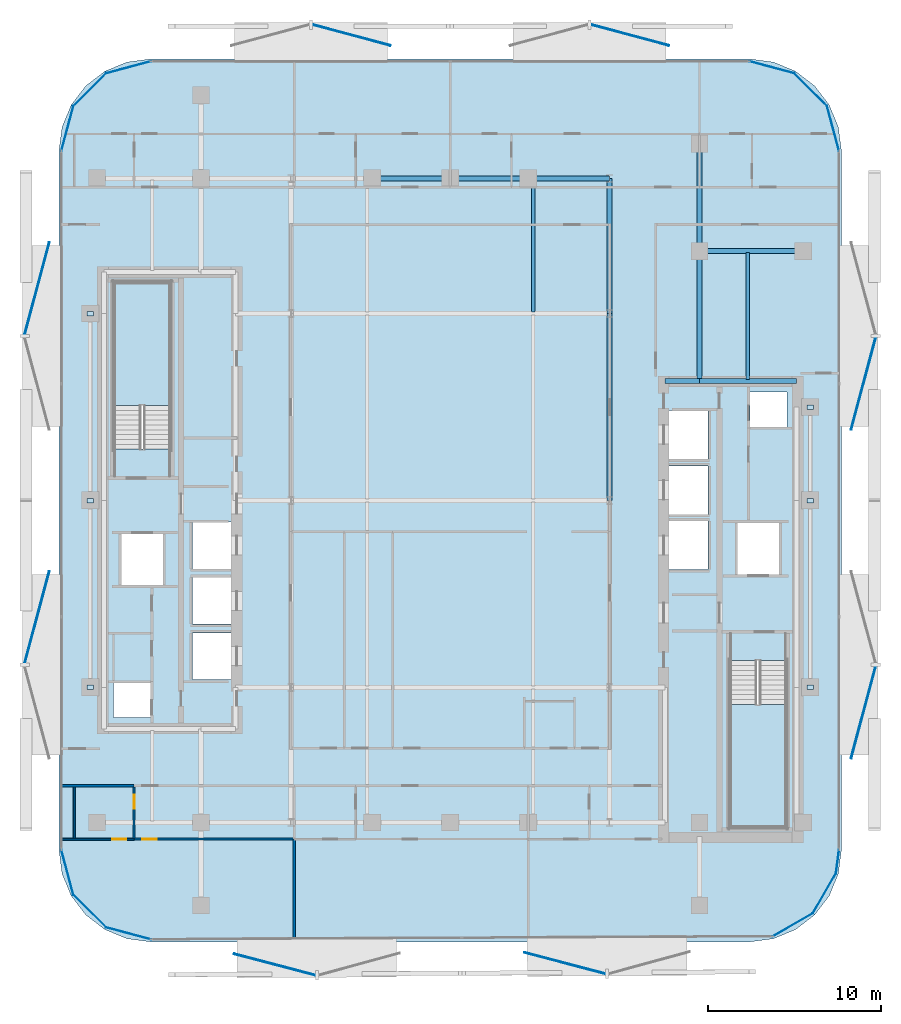
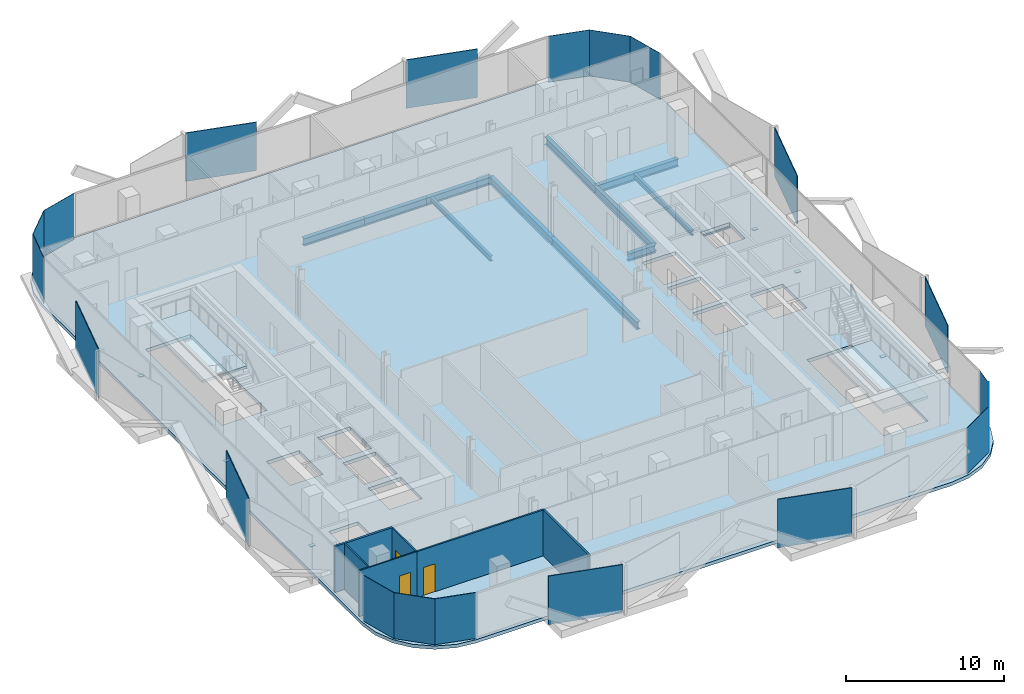
# One storey, part 2 of 17: 26 plates, 12 beams, 6 walls, 3 doors, 3 slabs, 3 openings, 2 elements without a shape of their own.
"""IFC4 building model written with IfcOpenShell, lengths in metres."""

from ifc_helpers import new_model, si_unit, direction, frame, frame_2d, origin, origin_2d, place, context, subcontext, project, spatial, polyline, rectangle, i_section, outline, extrude, material, layer, layer_set, material_profile, profile_set, type_object, element, fill, aggregate, save


model = new_model("IFC4")

# Units and contexts
model_context = context("Model", 3, precision=1e-05, world=origin(), true_north=direction((0.0, 1.0)))
body_context = subcontext(model_context, "Body", "Model", "MODEL_VIEW")
ifc_project = project(units=[si_unit("LENGTHUNIT", "METRE"), si_unit("AREAUNIT", "SQUARE_METRE"), si_unit("VOLUMEUNIT", "CUBIC_METRE"), si_unit("PLANEANGLEUNIT", "RADIAN"), si_unit("MASSUNIT", "GRAM", prefix="KILO")], contexts=[model_context])

# Site, building, storey
site_placement = place(None, origin())
site = spatial("IfcSite", under=ifc_project, at=site_placement, CompositionType="ELEMENT")
building_placement = place(site_placement, origin())
building = spatial("IfcBuilding", under=site, at=building_placement, Name="Khairoan Windgate Tower", CompositionType="ELEMENT")
storey_placement = place(building_placement, frame((0.0, 0.0, 203.0)))
storey = spatial("IfcBuildingStorey", under=building, at=storey_placement, Name="L47", CompositionType="ELEMENT", Elevation=203.0)

# Beams
ifc_material_1 = material(Name="Steel S355", Category="steel")
ifc_material_profile_1 = material_profile(ifc_material_1, i_section(OverallWidth=0.300048828125, OverallDepth=0.587890625, WebThickness=0.011962890625, FlangeThickness=0.02001953125, FilletRadius=0.02392578125, at=origin_2d()))
ifc_profile_set_1 = profile_set([ifc_material_profile_1], Name="Steel S355")
beam_type_1 = type_object("IfcBeamType", Name="Beam B-G4 H588x300x12x20", PredefinedType="BEAM", material=ifc_profile_set_1)
beam_1_placement = place(storey_placement, frame((12.39990234375, 6.89990234375, -0.553955078125), z_axis=(1.0, 0.0, 0.0), x_axis=(0.0, 1.0, 0.0)))
element("IfcBeam", 1, at=beam_1_placement, inside=storey, type_object=beam_type_1, Name="L47 E-W Primary Girder 15", PredefinedType="BEAM", context=body_context, shape_type="SweptSolid", body=[
    extrude(i_section(OverallWidth=0.300048828125, OverallDepth=0.587890625, WebThickness=0.011962890625, FlangeThickness=0.02001953125, FilletRadius=0.02392578125, at=origin_2d()), origin(), (0.0, 0.0, 1.0), 2.0),
])
beam_2_placement = place(storey_placement, frame((14.39990234375, 6.89990234375, -0.553955078125), z_axis=(1.0, 0.0, 0.0), x_axis=(0.0, 1.0, 0.0)))
element("IfcBeam", 2, at=beam_2_placement, inside=storey, type_object=beam_type_1, Name="L47 E-W Primary Girder 16", PredefinedType="BEAM", context=body_context, shape_type="SweptSolid", body=[
    extrude(i_section(OverallWidth=0.300048828125, OverallDepth=0.587890625, WebThickness=0.011962890625, FlangeThickness=0.02001953125, FilletRadius=0.02392578125, at=origin_2d()), origin(), (0.0, 0.0, 1.0), 5.60009765625),
])
beam_3_placement = place(storey_placement, frame((14.39990234375, 14.39990234375, -0.553955078125), z_axis=(1.0, 0.0, 0.0), x_axis=(0.0, 1.0, 0.0)))
element("IfcBeam", 3, at=beam_3_placement, inside=storey, type_object=beam_type_1, Name="L47 E-W Primary Girder 21", PredefinedType="BEAM", context=body_context, shape_type="SweptSolid", body=[
    extrude(i_section(OverallWidth=0.300048828125, OverallDepth=0.587890625, WebThickness=0.011962890625, FlangeThickness=0.02001953125, FilletRadius=0.02392578125, at=origin_2d()), origin(), (0.0, 0.0, 1.0), 6.0),
])
for number, where, z_axis, x_axis, name in (
    (4, (-4.5, 18.60009765625, -0.553955078125), (1.0, 0.0, 0.0), (0.0, 1.0, 0.0), "L47 E-W Primary Girder 25"),
    (5, (0.0, 18.60009765625, -0.553955078125), (1.0, 0.0, 0.0), (0.0, 1.0, 0.0), "L47 E-W Primary Girder 26"),
):
    element("IfcBeam", number, at=place(storey_placement, frame(where, z_axis=z_axis, x_axis=x_axis)), inside=storey, type_object=beam_type_1, Name=name, PredefinedType="BEAM", context=body_context, shape_type="SweptSolid", body=[
        extrude(i_section(OverallWidth=0.300048828125, OverallDepth=0.587890625, WebThickness=0.011962890625, FlangeThickness=0.02001953125, FilletRadius=0.02392578125, at=origin_2d()), origin(), (0.0, 0.0, 1.0), 4.5),
    ])
beam_4_placement = place(storey_placement, frame((4.5, 18.60009765625, -0.553955078125), z_axis=(1.0, 0.0, 0.0), x_axis=(0.0, 1.0, 0.0)))
element("IfcBeam", 6, at=beam_4_placement, inside=storey, type_object=beam_type_1, Name="L47 E-W Primary Girder 27", PredefinedType="BEAM", context=body_context, shape_type="SweptSolid", body=[
    extrude(i_section(OverallWidth=0.300048828125, OverallDepth=0.587890625, WebThickness=0.011962890625, FlangeThickness=0.02001953125, FilletRadius=0.02392578125, at=origin_2d()), origin(), (0.0, 0.0, 1.0), 4.699951171875),
])
beam_5_placement = place(storey_placement, frame((9.199951171875, 0.0, -0.553955078125), z_axis=(0.0, 1.0, 0.0), x_axis=(-1.0, 0.0, 0.0)))
element("IfcBeam", 7, at=beam_5_placement, inside=storey, type_object=beam_type_1, Name="L47 N-S Primary Beam 47", PredefinedType="BEAM", context=body_context, shape_type="SweptSolid", body=[
    extrude(i_section(OverallWidth=0.300048828125, OverallDepth=0.587890625, WebThickness=0.011962890625, FlangeThickness=0.02001953125, FilletRadius=0.02392578125, at=origin_2d()), origin(), (0.0, 0.0, 1.0), 10.800048828125),
])
beam_6_placement = place(storey_placement, frame((9.199951171875, 10.800048828125, -0.553955078125), z_axis=(0.0, 1.0, 0.0), x_axis=(-1.0, 0.0, 0.0)))
element("IfcBeam", 8, at=beam_6_placement, inside=storey, type_object=beam_type_1, Name="L47 N-S Primary Beam 48", PredefinedType="BEAM", context=body_context, shape_type="SweptSolid", body=[
    extrude(i_section(OverallWidth=0.300048828125, OverallDepth=0.587890625, WebThickness=0.011962890625, FlangeThickness=0.02001953125, FilletRadius=0.02392578125, at=origin_2d()), origin(), (0.0, 0.0, 1.0), 7.800048828125),
])
beam_7_placement = place(storey_placement, frame((14.39990234375, 6.89990234375, -0.553955078125), z_axis=(0.0, 1.0, 0.0), x_axis=(-1.0, 0.0, 0.0)))
element("IfcBeam", 9, at=beam_7_placement, inside=storey, type_object=beam_type_1, Name="L47 N-S Primary Beam 51", PredefinedType="BEAM", context=body_context, shape_type="SweptSolid", body=[
    extrude(i_section(OverallWidth=0.300048828125, OverallDepth=0.587890625, WebThickness=0.011962890625, FlangeThickness=0.02001953125, FilletRadius=0.02392578125, at=origin_2d()), origin(), (0.0, 0.0, 1.0), 7.5),
])
beam_8_placement = place(storey_placement, frame((14.39990234375, 14.39990234375, -0.553955078125), z_axis=(0.0, 1.0, 0.0), x_axis=(-1.0, 0.0, 0.0)))
element("IfcBeam", 10, at=beam_8_placement, inside=storey, type_object=beam_type_1, Name="L47 N-S Primary Beam 52", PredefinedType="BEAM", context=body_context, shape_type="SweptSolid", body=[
    extrude(i_section(OverallWidth=0.300048828125, OverallDepth=0.587890625, WebThickness=0.011962890625, FlangeThickness=0.02001953125, FilletRadius=0.02392578125, at=origin_2d()), origin(), (0.0, 0.0, 1.0), 6.2001953125),
])
ifc_material_2 = material(Name="Steel S355", Category="steel")
ifc_material_profile_2 = material_profile(ifc_material_2, i_section(OverallWidth=0.199951171875, OverallDepth=0.39990234375, WebThickness=0.008056640625, FlangeThickness=0.012939453125, FilletRadius=0.01611328125, at=origin_2d()))
ifc_profile_set_2 = profile_set([ifc_material_profile_2], Name="Steel S355")
beam_type_2 = type_object("IfcBeamType", Name="Beam J-S4 H400x200x8x13", PredefinedType="JOIST", material=ifc_profile_set_2)
beam_9_placement = place(storey_placement, frame((4.800048828125, 10.889892578125, -0.4599609375), z_axis=(0.0, 1.0, 0.0), x_axis=(-1.0, 0.0, 0.0)))
element("IfcBeam", 11, at=beam_9_placement, inside=storey, type_object=beam_type_2, Name="L47 Secondary Floor Joist 10", PredefinedType="JOIST", context=body_context, shape_type="SweptSolid", body=[
    extrude(i_section(OverallWidth=0.199951171875, OverallDepth=0.39990234375, WebThickness=0.008056640625, FlangeThickness=0.012939453125, FilletRadius=0.01611328125, at=origin_2d()), origin(), (0.0, 0.0, 1.0), 7.6201171875),
])
beam_10_placement = place(storey_placement, frame((17.199951171875, 6.989990234375, -0.4599609375), z_axis=(0.0, 1.0, 0.0), x_axis=(-1.0, 0.0, 0.0)))
element("IfcBeam", 12, at=beam_10_placement, inside=storey, type_object=beam_type_2, Name="L47 Secondary Floor Joist 11", PredefinedType="JOIST", context=body_context, shape_type="SweptSolid", body=[
    extrude(i_section(OverallWidth=0.199951171875, OverallDepth=0.39990234375, WebThickness=0.008056640625, FlangeThickness=0.012939453125, FilletRadius=0.01611328125, at=origin_2d()), origin(), (0.0, 0.0, 1.0), 7.320068359375),
])

# Plates
ifc_material_3 = material(Name="Low-E Solar Control Laminated Glass", Category="glass")
ifc_layer_1 = layer(ifc_material_3, 0.030029296875, Name="Low-E Solar Control Laminated Glass")
ifc_layer_set_1 = layer_set([ifc_layer_1], Name="Low-E Solar Control Laminated Glass")
plate_type_1 = type_object("IfcPlateType", Name="Aerodynamic Wind-Corner Curved Glazing Plate", PredefinedType="USERDEFINED", material=ifc_layer_set_1)
plate_1_placement = place(storey_placement, frame((-18.585205078125, -25.013916015625, 0.0), z_axis=(0.0, 0.0, 1.0), x_axis=(-0.966061211211, 0.258313252067, 0.0)))
element("IfcPlate", 13, at=plate_1_placement, inside=storey, type_object=plate_type_1, Name="L47 Aerodynamic Wind-Corner Curved Glazing Panel 2", ObjectType="GLAZING PANEL", PredefinedType="USERDEFINED", context=body_context, shape_type="SweptSolid", body=[
    extrude(rectangle(XDim=2.719482421875, YDim=0.030029296875, at=origin_2d()), origin(), (0.0, 0.0, 1.0), 3.5400390625),
])
plate_2_placement = place(storey_placement, frame((-20.823486328125, -23.723388671875, 0.0), z_axis=(0.0, 0.0, 1.0), x_axis=(-0.707106781187, 0.707106781187, 0.0)))
element("IfcPlate", 14, at=plate_2_placement, inside=storey, type_object=plate_type_1, Name="L47 Aerodynamic Wind-Corner Curved Glazing Panel 3", ObjectType="GLAZING PANEL", PredefinedType="USERDEFINED", context=body_context, shape_type="SweptSolid", body=[
    extrude(rectangle(XDim=2.710205078125, YDim=0.030029296875, at=origin_2d()), origin(), (0.0, 0.0, 1.0), 3.5400390625),
])
for number, where, z_axis, x_axis, name in (
    (15, (-22.11376953125, -21.485107421875, 0.0), (0.0, 0.0, 1.0), (-0.258313252067, 0.966061211211, 0.0), "L47 Aerodynamic Wind-Corner Curved Glazing Panel 4"),
    (16, (-22.11376953125, 21.485107421875, 0.0), (0.0, 0.0, 1.0), (0.258313252067, 0.966061211211, 0.0), "L47 Aerodynamic Wind-Corner Curved Glazing Panel 6"),
):
    element("IfcPlate", number, at=place(storey_placement, frame(where, z_axis=z_axis, x_axis=x_axis)), inside=storey, type_object=plate_type_1, Name=name, ObjectType="GLAZING PANEL", PredefinedType="USERDEFINED", context=body_context, shape_type="SweptSolid", body=[
        extrude(rectangle(XDim=2.719482421875, YDim=0.030029296875, at=origin_2d()), origin(), (0.0, 0.0, 1.0), 3.5400390625),
    ])
plate_3_placement = place(storey_placement, frame((-20.823486328125, 23.723388671875, 0.0), z_axis=(0.0, 0.0, 1.0), x_axis=(0.707106781187, 0.707106781187, 0.0)))
element("IfcPlate", 17, at=plate_3_placement, inside=storey, type_object=plate_type_1, Name="L47 Aerodynamic Wind-Corner Curved Glazing Panel 7", ObjectType="GLAZING PANEL", PredefinedType="USERDEFINED", context=body_context, shape_type="SweptSolid", body=[
    extrude(rectangle(XDim=2.710205078125, YDim=0.030029296875, at=origin_2d()), origin(), (0.0, 0.0, 1.0), 3.5400390625),
])
for number, where, z_axis, x_axis, name in (
    (18, (-18.585205078125, 25.013916015625, 0.0), (0.0, 0.0, 1.0), (0.966061211211, 0.258313252067, 0.0), "L47 Aerodynamic Wind-Corner Curved Glazing Panel 8"),
    (19, (18.585205078125, 25.013916015625, 0.0), (0.0, 0.0, 1.0), (0.966061211211, -0.258313252067, 0.0), "L47 Aerodynamic Wind-Corner Curved Glazing Panel 10"),
):
    element("IfcPlate", number, at=place(storey_placement, frame(where, z_axis=z_axis, x_axis=x_axis)), inside=storey, type_object=plate_type_1, Name=name, ObjectType="GLAZING PANEL", PredefinedType="USERDEFINED", context=body_context, shape_type="SweptSolid", body=[
        extrude(rectangle(XDim=2.719482421875, YDim=0.030029296875, at=origin_2d()), origin(), (0.0, 0.0, 1.0), 3.5400390625),
    ])
plate_4_placement = place(storey_placement, frame((20.823486328125, 23.723388671875, 0.0), z_axis=(0.0, 0.0, 1.0), x_axis=(0.707106781187, -0.707106781187, 0.0)))
element("IfcPlate", 20, at=plate_4_placement, inside=storey, type_object=plate_type_1, Name="L47 Aerodynamic Wind-Corner Curved Glazing Panel 11", ObjectType="GLAZING PANEL", PredefinedType="USERDEFINED", context=body_context, shape_type="SweptSolid", body=[
    extrude(rectangle(XDim=2.710205078125, YDim=0.030029296875, at=origin_2d()), origin(), (0.0, 0.0, 1.0), 3.5400390625),
])
plate_5_placement = place(storey_placement, frame((22.11376953125, 21.485107421875, 0.0), z_axis=(0.0, 0.0, 1.0), x_axis=(0.258313252067, -0.966061211211, 0.0)))
element("IfcPlate", 21, at=plate_5_placement, inside=storey, type_object=plate_type_1, Name="L47 Aerodynamic Wind-Corner Curved Glazing Panel 12", ObjectType="GLAZING PANEL", PredefinedType="USERDEFINED", context=body_context, shape_type="SweptSolid", body=[
    extrude(rectangle(XDim=2.719482421875, YDim=0.030029296875, at=origin_2d()), origin(), (0.0, 0.0, 1.0), 3.5400390625),
])
plate_6_placement = place(storey_placement, frame((22.37158203125, -20.863037109375, 0.0), z_axis=(0.0, 0.0, 1.0), x_axis=(-0.13052619222, -0.991444861374, 0.0)))
element("IfcPlate", 22, at=plate_6_placement, inside=storey, type_object=plate_type_1, Name="L47 Aerodynamic Wind-Corner Curved Glazing Panel 14", ObjectType="GLAZING PANEL", PredefinedType="USERDEFINED", context=body_context, shape_type="SweptSolid", body=[
    extrude(rectangle(XDim=1.39599609375, YDim=0.030029296875, at=origin_2d()), origin(), (0.0, 0.0, 1.0), 3.5400390625),
])
for number, where, z_axis, x_axis, name in (
    (23, (21.615478515625, -22.69140625, 0.0), (0.0, 0.0, 1.0), (-0.5, -0.866025403784, 0.0), "L47 Aerodynamic Wind-Corner Curved Glazing Panel 15"),
    (24, (19.79150390625, -24.515380859375, 0.0), (0.0, 0.0, 1.0), (-0.866025403784, -0.5, 0.0), "L47 Aerodynamic Wind-Corner Curved Glazing Panel 16"),
):
    element("IfcPlate", number, at=place(storey_placement, frame(where, z_axis=z_axis, x_axis=x_axis)), inside=storey, type_object=plate_type_1, Name=name, ObjectType="GLAZING PANEL", PredefinedType="USERDEFINED", context=body_context, shape_type="SweptSolid", body=[
        extrude(rectangle(XDim=2.71044921875, YDim=0.030029296875, at=origin_2d()), origin(), (0.0, 0.0, 1.0), 3.5400390625),
    ])
ifc_material_4 = material(Name="Steel S355", Category="steel")
ifc_layer_2 = layer(ifc_material_4, 0.0400390625, Name="Steel S355")
ifc_layer_set_2 = layer_set([ifc_layer_2], Name="Steel S355")
plate_type_2 = type_object("IfcPlateType", Name="Hollow Section End-Cap Plate PL-CAP40", PredefinedType="SHEET", material=ifc_layer_set_2)
for number, where, z_axis, x_axis, name in (
    (25, (-20.800048828125, -10.784912109375, -0.455078125), (0.0, 0.0, 1.0), (0.0, 1.0, 0.0), "BM-SP-L47-028 steel end-cap plate 1"),
    (26, (-20.800048828125, -0.014892578125, -0.455078125), (0.0, 0.0, 1.0), (0.0, 1.0, 0.0), "BM-SP-L47-028 steel end-cap plate 2"),
    (27, (-20.800048828125, 10.784912109375, -0.455078125), (0.0, 0.0, 1.0), (0.0, 1.0, 0.0), "BM-SP-L47-029 steel end-cap plate 2"),
    (28, (20.800048828125, -10.784912109375, -0.455078125), (0.0, 0.0, 1.0), (0.0, 1.0, 0.0), "BM-SP-L47-056 steel end-cap plate 1"),
    (29, (20.800048828125, -0.014892578125, -0.455078125), (0.0, 0.0, 1.0), (0.0, 1.0, 0.0), "BM-SP-L47-056 steel end-cap plate 2"),
    (30, (20.800048828125, 5.385009765625, -0.455078125), (0.0, 0.0, 1.0), (0.0, 1.0, 0.0), "BM-SP-L47-057 steel end-cap plate 2"),
):
    element("IfcPlate", number, at=place(storey_placement, frame(where, z_axis=z_axis, x_axis=x_axis)), inside=storey, type_object=plate_type_2, Name=name, PredefinedType="SHEET", context=body_context, shape_type="SweptSolid", body=[
        extrude(rectangle(XDim=0.27001953125, YDim=0.3701171875, at=origin_2d()), origin(), (0.0, 0.0, 1.0), 0.0400390625),
    ])
ifc_material_5 = material(Name="Anodised Bronze Aluminium 6063-T6", Category="aluminium")
ifc_layer_3 = layer(ifc_material_5, 0.054931640625, Name="Anodised Bronze Aluminium 6063-T6")
ifc_layer_set_3 = layer_set([ifc_layer_3], Name="Anodised Bronze Aluminium 6063-T6")
plate_type_3 = type_object("IfcPlateType", Name="Perforated Bronze Solar Screen Panel BSP-1", PredefinedType="USERDEFINED", material=ifc_layer_set_3)
for number, where, z_axis, x_axis, name in (
    (31, (6.623291015625, -26.733154296875, -0.10009765625), (0.0, 0.0, 1.0), (-0.967179115616, 0.254095569259, 0.0), "L47 Perforated Bronze Solar Screen Panel 313R"),
    (32, (-10.1396484375, -26.815673828125, -0.10009765625), (0.0, 0.0, 1.0), (-0.967179115616, 0.254095569259, 0.0), "L47 Perforated Bronze Solar Screen Panel 314R"),
):
    element("IfcPlate", number, at=place(storey_placement, frame(where, z_axis=z_axis, x_axis=x_axis)), inside=storey, type_object=plate_type_3, Name=name, ObjectType="SCREEN", PredefinedType="USERDEFINED", context=body_context, shape_type="SweptSolid", body=[
        extrude(rectangle(XDim=4.861083984375, YDim=0.054931640625, at=origin_2d()), origin(), (0.0, 0.0, 1.0), 3.739990234375),
    ])
for number, where, z_axis, x_axis, name in (
    (33, (-23.8671875, -6.74560546875, -0.10009765625), (0.0, 0.0, 1.0), (0.258819045103, 0.965925826289, 0.0), "L47 Perforated Bronze Solar Screen Panel 315R"),
    (34, (-23.8671875, 12.2451171875, -0.10009765625), (0.0, 0.0, 1.0), (0.258819045103, 0.965925826289, 0.0), "L47 Perforated Bronze Solar Screen Panel 316R"),
):
    element("IfcPlate", number, at=place(storey_placement, frame(where, z_axis=z_axis, x_axis=x_axis)), inside=storey, type_object=plate_type_3, Name=name, ObjectType="SCREEN", PredefinedType="USERDEFINED", context=body_context, shape_type="SweptSolid", body=[
        extrude(rectangle(XDim=5.507080078125, YDim=0.054931640625, at=origin_2d()), origin(), (0.0, 0.0, 1.0), 3.739990234375),
    ])
for number, where, z_axis, x_axis, name in (
    (35, (-5.701904296875, 26.876220703125, -0.10009765625), (0.0, 0.0, 1.0), (0.965925826289, -0.258819045103, 0.0), "L47 Perforated Bronze Solar Screen Panel 317R"),
    (36, (10.388916015625, 26.876220703125, -0.10009765625), (0.0, 0.0, 1.0), (0.965925826289, -0.258819045103, 0.0), "L47 Perforated Bronze Solar Screen Panel 318R"),
):
    element("IfcPlate", number, at=place(storey_placement, frame(where, z_axis=z_axis, x_axis=x_axis)), inside=storey, type_object=plate_type_3, Name=name, ObjectType="SCREEN", PredefinedType="USERDEFINED", context=body_context, shape_type="SweptSolid", body=[
        extrude(rectangle(XDim=4.666015625, YDim=0.054931640625, at=origin_2d()), origin(), (0.0, 0.0, 1.0), 3.739990234375),
    ])
for number, where, z_axis, x_axis, name in (
    (37, (23.8671875, 6.74560546875, -0.10009765625), (0.0, 0.0, 1.0), (-0.258819045103, -0.965925826289, 0.0), "L47 Perforated Bronze Solar Screen Panel 319R"),
    (38, (23.8671875, -12.2451171875, -0.10009765625), (0.0, 0.0, 1.0), (-0.258819045103, -0.965925826289, 0.0), "L47 Perforated Bronze Solar Screen Panel 320R"),
):
    element("IfcPlate", number, at=place(storey_placement, frame(where, z_axis=z_axis, x_axis=x_axis)), inside=storey, type_object=plate_type_3, Name=name, ObjectType="SCREEN", PredefinedType="USERDEFINED", context=body_context, shape_type="SweptSolid", body=[
        extrude(rectangle(XDim=5.507080078125, YDim=0.054931640625, at=origin_2d()), origin(), (0.0, 0.0, 1.0), 3.739990234375),
    ])

# Stair, slab
ifc_material_6 = material(Name="Concrete C40/50", Category="concrete")
stair_type = type_object("IfcStairType", Name="Tower Core Dog-Leg Stair ST-T1 1560mm", PredefinedType="HALF_TURN_STAIR", material=ifc_material_6)
stair_1_placement = place(storey_placement, origin())
stair_1 = element("IfcStair", 39, at=stair_1_placement, inside=storey, type_object=stair_type, Name="L47 Stair ST1", PredefinedType="HALF_TURN_STAIR")
ifc_material_7 = material(Name="Concrete C40/50", Category="concrete")
ifc_layer_4 = layer(ifc_material_7, 0.199951171875, Name="Concrete C40/50")
ifc_layer_set_4 = layer_set([ifc_layer_4], Name="Concrete C40/50")
slab_type_1 = type_object("IfcSlabType", Name="Reinforced Concrete Stair Landing Slab STL-200", PredefinedType="LANDING", material=ifc_layer_set_4)
slab_1_placement = place(storey_placement, frame((0.0, 0.0, 1.699951171875)))
slab_1 = element("IfcSlab", 40, at=slab_1_placement, type_object=slab_type_1, Name="ST1 landing 1", PredefinedType="LANDING", context=body_context, shape_type="SweptSolid", body=[
    extrude(outline(polyline([(16.14990234375, -11.780029296875), (16.14990234375, -18.89990234375), (19.419921875, -18.89990234375), (19.419921875, -11.780029296875), (16.14990234375, -11.780029296875)])), origin(), (0.0, 0.0, 1.0), 0.199951171875),
])
aggregate(stair_1, [slab_1])

stair_2_placement = place(storey_placement, origin())
stair_2 = element("IfcStair", 41, at=stair_2_placement, inside=storey, type_object=stair_type, Name="L47 Stair ST2", PredefinedType="HALF_TURN_STAIR")
slab_2_placement = place(storey_placement, frame((0.0, 0.0, 1.699951171875)))
slab_2 = element("IfcSlab", 42, at=slab_2_placement, type_object=slab_type_1, Name="ST2 landing 1", PredefinedType="LANDING", context=body_context, shape_type="SweptSolid", body=[
    extrude(outline(polyline([(-16.14990234375, 5.47998046875), (-16.14990234375, 12.60009765625), (-19.419921875, 12.60009765625), (-19.419921875, 5.47998046875), (-16.14990234375, 5.47998046875)])), origin(), (0.0, 0.0, 1.0), 0.199951171875),
])
aggregate(stair_2, [slab_2])

# Slab
ifc_material_8 = material(Name="Concrete C40/50", Category="concrete")
ifc_layer_5 = layer(ifc_material_8, 0.260009765625, Name="Concrete C40/50")
ifc_layer_set_5 = layer_set([ifc_layer_5], Name="Concrete C40/50")
slab_type_2 = type_object("IfcSlabType", Name="Tower Composite Floor Slab FS2 260mm", PredefinedType="FLOOR", material=ifc_layer_set_5)
slab_3_placement = place(storey_placement, frame((0.0, 0.0, -0.260009765625)))
element("IfcSlab", 43, at=slab_3_placement, inside=storey, type_object=slab_type_2, Name="L47 Structural Floor Slab", PredefinedType="FLOOR", context=body_context, shape_type="SweptSolid", body=[
    extrude(outline(polyline([(17.300048828125, -25.5), (18.671630859375, -25.3193359375), (19.949951171875, -24.789794921875), (21.047607421875, -23.94775390625), (21.889892578125, -22.85009765625), (22.41943359375, -21.57177734375), (22.60009765625, -20.199951171875), (22.60009765625, 20.199951171875), (22.41943359375, 21.57177734375), (21.889892578125, 22.85009765625), (21.047607421875, 23.94775390625), (19.949951171875, 24.789794921875), (18.671630859375, 25.3193359375), (17.300048828125, 25.5), (-17.300048828125, 25.5), (-18.671630859375, 25.3193359375), (-19.949951171875, 24.789794921875), (-21.047607421875, 23.94775390625), (-21.889892578125, 22.85009765625), (-22.41943359375, 21.57177734375), (-22.60009765625, 20.199951171875), (-22.60009765625, -20.199951171875), (-22.41943359375, -21.57177734375), (-21.889892578125, -22.85009765625), (-21.047607421875, -23.94775390625), (-19.949951171875, -24.789794921875), (-18.671630859375, -25.3193359375), (-17.300048828125, -25.5), (17.300048828125, -25.5)]), holes=[polyline([(16.14990234375, -9.260009765625), (16.14990234375, -18.89990234375), (19.419921875, -18.89990234375), (19.419921875, -9.260009765625), (16.14990234375, -9.260009765625)]), polyline([(-16.14990234375, 2.9599609375), (-16.14990234375, 12.60009765625), (-19.419921875, 12.60009765625), (-19.419921875, 2.9599609375), (-16.14990234375, 2.9599609375)]), polyline([(-14.89990234375, -3.949951171875), (-12.5, -3.949951171875), (-12.5, -1.25), (-14.89990234375, -1.25), (-14.89990234375, -3.949951171875)]), polyline([(-14.89990234375, -7.14990234375), (-12.5, -7.14990234375), (-12.5, -4.449951171875), (-14.89990234375, -4.449951171875), (-14.89990234375, -7.14990234375)]), polyline([(-14.89990234375, -10.35009765625), (-12.5, -10.35009765625), (-12.5, -7.64990234375), (-14.89990234375, -7.64990234375), (-14.89990234375, -10.35009765625)]), polyline([(12.5, 2.39990234375), (14.89990234375, 2.39990234375), (14.89990234375, 5.199951171875), (12.5, 5.199951171875), (12.5, 2.39990234375)]), polyline([(12.5, -0.800048828125), (14.89990234375, -0.800048828125), (14.89990234375, 2.0), (12.5, 2.0), (12.5, -0.800048828125)]), polyline([(12.5, -4.0), (14.89990234375, -4.0), (14.89990234375, -1.199951171875), (12.5, -1.199951171875), (12.5, -4.0)]), polyline([(16.60009765625, -4.300048828125), (19.0, -4.300048828125), (19.0, -1.300048828125), (16.60009765625, -1.300048828125), (16.60009765625, -4.300048828125)]), polyline([(-19.0, -4.89990234375), (-16.60009765625, -4.89990234375), (-16.60009765625, -1.89990234375), (-19.0, -1.89990234375), (-19.0, -4.89990234375)]), polyline([(-19.449951171875, -12.550048828125), (-17.31005859375, -12.550048828125), (-17.31005859375, -10.550048828125), (-19.449951171875, -10.550048828125), (-19.449951171875, -12.550048828125)]), polyline([(17.31005859375, 4.25), (19.449951171875, 4.25), (19.449951171875, 6.25), (17.31005859375, 6.25), (17.31005859375, 4.25)])]), origin(), (0.0, 0.0, 1.0), 0.260009765625),
])

# Wall, opening, door
ifc_material_9 = material(Name="Moisture-Resistant Gypsum Partition", Category="gypsum")
ifc_layer_6 = layer(ifc_material_9, 0.10009765625, Name="Moisture-Resistant Gypsum Partition")
ifc_layer_set_6 = layer_set([ifc_layer_6], Name="Moisture-Resistant Gypsum Partition")
wall_type_1 = type_object("IfcWallType", Name="Bathroom Wet-Area Partition Wall", PredefinedType="PARTITIONING", material=ifc_layer_set_6)
wall_1_placement = place(storey_placement, frame((-18.260009765625, -19.52001953125, 0.0), z_axis=(0.0, 0.0, 1.0), x_axis=(0.0, 1.0, 0.0)))
wall_1 = element("IfcWall", 44, at=wall_1_placement, inside=storey, type_object=wall_type_1, Name="L47 Interior Partition 064", PredefinedType="PARTITIONING", context=body_context, shape_type="SweptSolid", body=[
    extrude(rectangle(XDim=2.965087890625, YDim=0.10009765625, at=frame_2d((1.482421875, 0.0))), origin(), (0.0, 0.0, 1.0), 3.5400390625),
])
opening_1_placement = place(wall_1_placement, frame((1.705078125, 0.0, 0.0)))
opening_1 = element("IfcOpeningElement", 45, at=opening_1_placement, cuts=wall_1, Name="Opening ID-BTH", PredefinedType="OPENING", context=body_context, shape_type="SweptSolid", body=[
    extrude(rectangle(XDim=0.800048828125, YDim=2.10009765625, at=frame_2d((0.39990234375, 1.050048828125))), frame((0.0, 0.06005859375, 0.0), z_axis=(0.0, -1.0, 0.0), x_axis=(1.0, 0.0, 0.0)), (0.0, 0.0, 1.0), 0.1201171875),
])
ifc_material_10 = material(Name="Teak Veneer Timber Leaf", Category="wood")
door_type_1 = type_object("IfcDoorType", Name="Internal Bathroom Door ID-BTH 800x2100", OperationType="NOTDEFINED", PredefinedType="DOOR", material=ifc_material_10)
door_1_placement = place(opening_1_placement, origin())
door_1 = element("IfcDoor", 46, at=door_1_placement, inside=storey, type_object=door_type_1, Name="L47 L47-49-L47-50 Door", OperationType="SINGLE_SWING_RIGHT", OverallHeight=2.10009765625, OverallWidth=0.800048828125, PredefinedType="DOOR", context=body_context, shape_type="SweptSolid", body=[
    extrude(rectangle(XDim=0.800048828125, YDim=2.10009765625, at=frame_2d((0.39990234375, 1.050048828125))), frame((0.0, 0.02490234375, 0.0), z_axis=(0.0, -1.0, 0.0), x_axis=(1.0, 0.0, 0.0)), (0.0, 0.0, 1.0), 0.050048828125),
])
fill(opening_1, door_1)

wall_2_placement = place(storey_placement, frame((-22.455078125, -19.570068359375, 0.0), z_axis=(0.0, 0.0, 1.0), x_axis=(1.0, 0.0, 0.0)))
wall_2 = element("IfcWall", 47, at=wall_2_placement, inside=storey, type_object=wall_type_1, Name="L47 Interior Partition 065", PredefinedType="PARTITIONING", context=body_context, shape_type="SweptSolid", body=[
    extrude(rectangle(XDim=4.195068359375, YDim=0.10009765625, at=frame_2d((2.09765625, 0.0))), origin(), (0.0, 0.0, 1.0), 3.5400390625),
])
opening_2_placement = place(wall_2_placement, frame((2.93505859375, 0.0, 0.0)))
opening_2 = element("IfcOpeningElement", 48, at=opening_2_placement, cuts=wall_2, Name="Opening ID-BTH", PredefinedType="OPENING", context=body_context, shape_type="SweptSolid", body=[
    extrude(rectangle(XDim=0.800048828125, YDim=2.10009765625, at=frame_2d((0.39990234375, 1.050048828125))), frame((0.0, 0.06005859375, 0.0), z_axis=(0.0, -1.0, 0.0), x_axis=(1.0, 0.0, 0.0)), (0.0, 0.0, 1.0), 0.1201171875),
])
door_2_placement = place(opening_2_placement, origin())
door_2 = element("IfcDoor", 49, at=door_2_placement, inside=storey, type_object=door_type_1, Name="L47 L47-49-L47-51 Door", OperationType="SINGLE_SWING_LEFT", OverallHeight=2.10009765625, OverallWidth=0.800048828125, PredefinedType="DOOR", context=body_context, shape_type="SweptSolid", body=[
    extrude(rectangle(XDim=0.800048828125, YDim=2.10009765625, at=frame_2d((0.39990234375, 1.050048828125))), frame((0.0, 0.02490234375, 0.0), z_axis=(0.0, -1.0, 0.0), x_axis=(1.0, 0.0, 0.0)), (0.0, 0.0, 1.0), 0.050048828125),
])
fill(opening_2, door_2)

# Walls
wall_3_placement = place(storey_placement, frame((-21.719970703125, -19.52001953125, 0.0), z_axis=(0.0, 0.0, 1.0), x_axis=(0.0, 1.0, 0.0)))
element("IfcWall", 50, at=wall_3_placement, inside=storey, type_object=wall_type_1, Name="L47 Wet Room Side Wall 081", PredefinedType="PARTITIONING", context=body_context, shape_type="SweptSolid", body=[
    extrude(rectangle(XDim=2.965087890625, YDim=0.10009765625, at=frame_2d((1.482421875, 0.0))), origin(), (0.0, 0.0, 1.0), 3.5400390625),
])
ifc_material_11 = material(Name="Acoustic Fire-Rated Gypsum Partition", Category="gypsum")
ifc_layer_7 = layer(ifc_material_11, 0.139892578125, Name="Acoustic Fire-Rated Gypsum Partition")
ifc_layer_set_7 = layer_set([ifc_layer_7], Name="Acoustic Fire-Rated Gypsum Partition")
wall_type_2 = type_object("IfcWallType", Name="Inter-Tenancy Compartment Wall", PredefinedType="PARTITIONING", material=ifc_layer_set_7)
wall_4_placement = place(storey_placement, frame((-9.0, -25.314208984375, 0.0), z_axis=(0.0, 0.0, 1.0), x_axis=(0.0, 1.0, 0.0)))
element("IfcWall", 51, at=wall_4_placement, inside=storey, type_object=wall_type_2, Name="L47 Interior Partition 068", PredefinedType="PARTITIONING", context=body_context, shape_type="SweptSolid", body=[
    extrude(rectangle(XDim=5.744140625, YDim=0.139892578125, at=frame_2d((2.8720703125, 0.0))), origin(), (0.0, 0.0, 1.0), 3.5400390625),
])

# Wall, opening, door
ifc_material_12 = material(Name="Gypsum Stud Partition", Category="gypsum")
ifc_layer_8 = layer(ifc_material_12, 0.1201171875, Name="Gypsum Stud Partition")
ifc_layer_set_8 = layer_set([ifc_layer_8], Name="Gypsum Stud Partition")
wall_type_3 = type_object("IfcWallType", Name="Internal Room Partition Wall", PredefinedType="PARTITIONING", material=ifc_layer_set_8)
wall_5_placement = place(storey_placement, frame((-18.260009765625, -19.570068359375, 0.0), z_axis=(0.0, 0.0, 1.0), x_axis=(1.0, 0.0, 0.0)))
wall_5 = element("IfcWall", 52, at=wall_5_placement, inside=storey, type_object=wall_type_3, Name="L47 Interior Partition 066", PredefinedType="PARTITIONING", context=body_context, shape_type="SweptSolid", body=[
    extrude(rectangle(XDim=9.260009765625, YDim=0.1201171875, at=frame_2d((4.6298828125, 0.0))), origin(), (0.0, 0.0, 1.0), 3.5400390625),
])
opening_3_placement = place(wall_5_placement, frame((0.4599609375, 0.0, 0.0)))
opening_3 = element("IfcOpeningElement", 53, at=opening_3_placement, cuts=wall_5, Name="Opening ID-RM", PredefinedType="OPENING", context=body_context, shape_type="SweptSolid", body=[
    extrude(rectangle(XDim=0.860107421875, YDim=2.14990234375, at=frame_2d((0.43017578125, 1.074951171875))), frame((0.0, 0.070068359375, 0.0), z_axis=(0.0, -1.0, 0.0), x_axis=(1.0, 0.0, 0.0)), (0.0, 0.0, 1.0), 0.14013671875),
])
ifc_material_13 = material(Name="Teak Veneer Timber Leaf", Category="wood")
door_type_2 = type_object("IfcDoorType", Name="Internal Bedroom and Office Door ID-RM 860x2150", OperationType="NOTDEFINED", PredefinedType="DOOR", material=ifc_material_13)
door_3_placement = place(opening_3_placement, origin())
door_3 = element("IfcDoor", 54, at=door_3_placement, inside=storey, type_object=door_type_2, Name="L47 L47-50-L47-51 Door", OperationType="SINGLE_SWING_RIGHT", OverallHeight=2.14990234375, OverallWidth=0.860107421875, PredefinedType="DOOR", context=body_context, shape_type="SweptSolid", body=[
    extrude(rectangle(XDim=0.860107421875, YDim=2.14990234375, at=frame_2d((0.43017578125, 1.074951171875))), frame((0.0, 0.02490234375, 0.0), z_axis=(0.0, -1.0, 0.0), x_axis=(1.0, 0.0, 0.0)), (0.0, 0.0, 1.0), 0.050048828125),
])
fill(opening_3, door_3)

# Wall
ifc_material_14 = material(Name="Acoustic Fire-Rated Gypsum Partition", Category="gypsum")
ifc_layer_9 = layer(ifc_material_14, 0.14990234375, Name="Acoustic Fire-Rated Gypsum Partition")
ifc_layer_set_9 = layer_set([ifc_layer_9], Name="Acoustic Fire-Rated Gypsum Partition")
wall_type_4 = type_object("IfcWallType", Name="Rated Corridor Partition Wall", PredefinedType="PARTITIONING", material=ifc_layer_set_9)
wall_6_placement = place(storey_placement, frame((-22.455078125, -16.47998046875, 0.0), z_axis=(0.0, 0.0, 1.0), x_axis=(1.0, 0.0, 0.0)))
element("IfcWall", 55, at=wall_6_placement, inside=storey, type_object=wall_type_4, Name="L47 Interior Partition 031", PredefinedType="PARTITIONING", context=body_context, shape_type="SweptSolid", body=[
    extrude(rectangle(XDim=4.195068359375, YDim=0.14990234375, at=frame_2d((2.09765625, 0.0))), origin(), (0.0, 0.0, 1.0), 3.5400390625),
])

save(model, "model.ifc")
